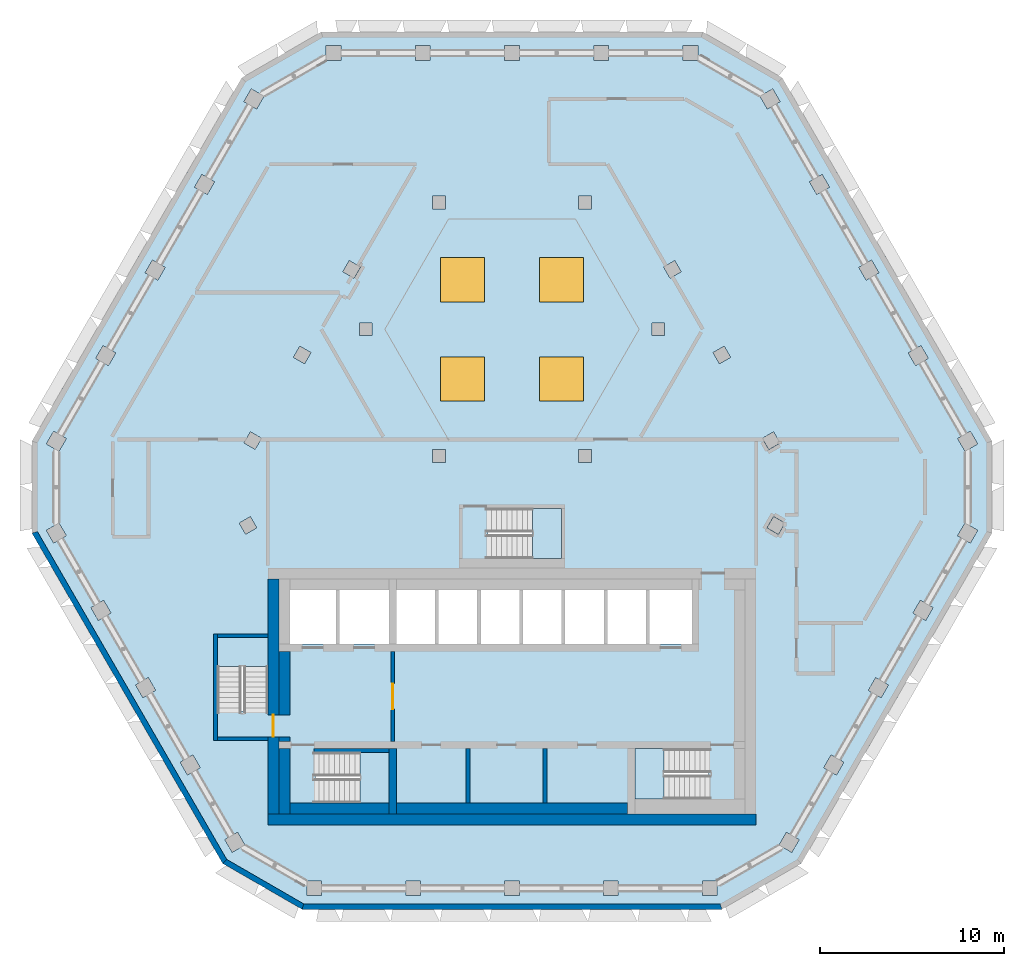
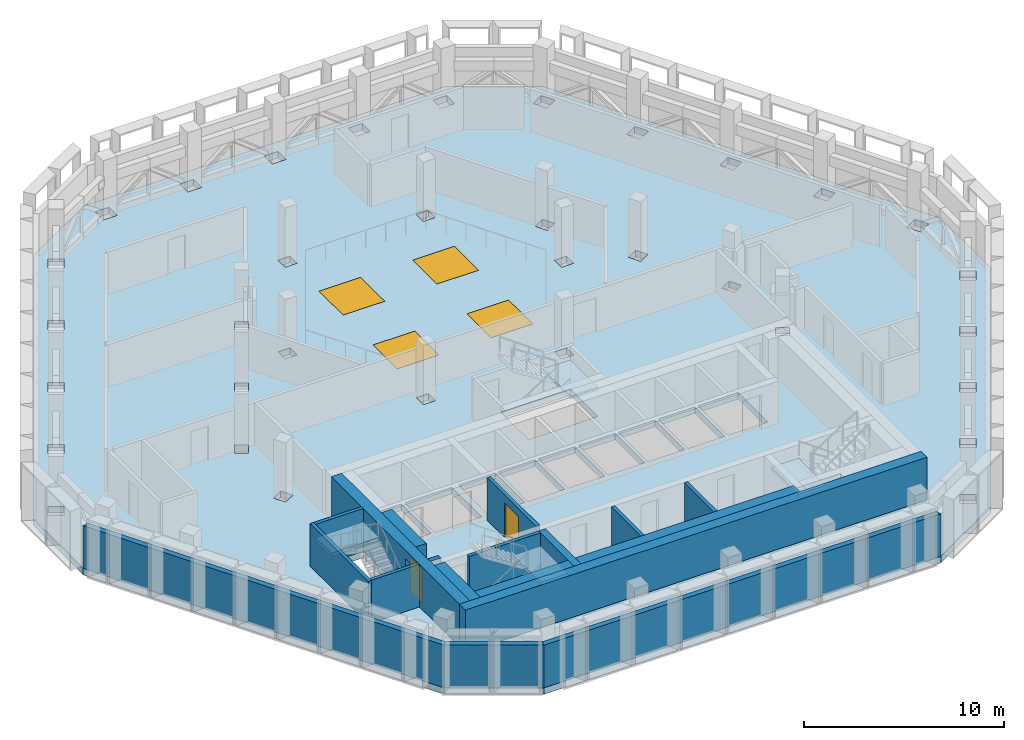
# One storey, part 10 of 24: 18 walls, 5 slabs, 4 windows, 2 doors, 6 openings, 4 elements without a shape of their own.
"""IFC4 building model written with IfcOpenShell, lengths in metres."""

from ifc_helpers import new_model, si_unit, direction, frame, frame_2d, origin, origin_2d, place, context, subcontext, project, spatial, polyline, rectangle, outline, extrude, material, layer, layer_set, type_object, element, fill, aggregate, save


model = new_model("IFC4")

# Units and contexts
model_context = context("Model", 3, precision=1e-05, world=origin(), true_north=direction((0.0, 1.0)))
body_context = subcontext(model_context, "Body", "Model", "MODEL_VIEW")
ifc_project = project(units=[si_unit("LENGTHUNIT", "METRE"), si_unit("AREAUNIT", "SQUARE_METRE"), si_unit("VOLUMEUNIT", "CUBIC_METRE"), si_unit("PLANEANGLEUNIT", "RADIAN"), si_unit("MASSUNIT", "GRAM", prefix="KILO")], contexts=[model_context])

# Site, building, storey
site_placement = place(None, origin())
site = spatial("IfcSite", under=ifc_project, at=site_placement, CompositionType="ELEMENT")
building_placement = place(site_placement, origin())
building = spatial("IfcBuilding", under=site, at=building_placement, Name="Beryl Residences", CompositionType="ELEMENT")
storey_placement = place(building_placement, frame((0.0, 0.0, 199.199951171875)))
storey = spatial("IfcBuildingStorey", under=building, at=storey_placement, Name="L61", CompositionType="ELEMENT", Elevation=199.199951171875)

# Slab, openings, windows
ifc_material_1 = material(Name="Concrete C40/50", Category="concrete")
ifc_layer_1 = layer(ifc_material_1, 0.39990234375)
ifc_layer_set_1 = layer_set([ifc_layer_1], Name="SL8 PT floor slab 400 mm C40/50")
slab_type_1 = type_object("IfcSlabType", Name="SL8 PT floor slab 400 mm C40/50", PredefinedType="FLOOR", material=ifc_layer_set_1)
slab_1_placement = place(storey_placement, frame((0.0, 0.0, -0.39990234375)))
slab_1 = element("IfcSlab", 1, at=slab_1_placement, inside=storey, type_object=slab_type_1, Name="L61 slab 1", PredefinedType="FLOOR", context=body_context, shape_type="SweptSolid", body=[
    extrude(outline(polyline([(26.154052734375, 1.89990234375), (26.154052734375, -3.10009765625), (15.760986328125, -21.10009765625), (11.430908203125, -23.60009765625), (-11.430908203125, -23.60009765625), (-15.760986328125, -21.10009765625), (-26.154052734375, -3.10009765625), (-26.154052734375, 1.89990234375), (-14.721923828125, 21.699951171875), (-10.39208984375, 24.199951171875), (10.39208984375, 24.199951171875), (14.721923828125, 21.699951171875), (26.154052734375, 1.89990234375)]), holes=[polyline([(25.3720703125, 1.75390625), (24.971923828125, 2.446044921875), (24.280029296875, 2.0458984375), (24.679931640625, 1.35400390625), (25.3720703125, 1.75390625)]), polyline([(25.37109375, -2.955078125), (24.678955078125, -2.554931640625), (24.279052734375, -3.2470703125), (24.970947265625, -3.64697265625), (25.37109375, -2.955078125)]), polyline([(22.93896484375, -7.16796875), (22.2470703125, -6.76806640625), (21.846923828125, -7.4599609375), (22.5390625, -7.860107421875), (22.93896484375, -7.16796875)]), polyline([(22.679931640625, 6.416015625), (22.280029296875, 7.10791015625), (21.587890625, 6.7080078125), (21.988037109375, 6.01611328125), (22.679931640625, 6.416015625)]), polyline([(19.81494140625, -10.97998046875), (19.4150390625, -11.672119140625), (20.10693359375, -12.072021484375), (20.507080078125, -11.3798828125), (19.81494140625, -10.97998046875)]), polyline([(19.587890625, 11.77099609375), (18.89599609375, 11.37109375), (19.2958984375, 10.678955078125), (19.988037109375, 11.0791015625), (19.587890625, 11.77099609375)]), polyline([(17.675048828125, -16.283935546875), (18.074951171875, -15.592041015625), (17.383056640625, -15.19189453125), (16.98291015625, -15.884033203125), (17.675048828125, -16.283935546875)]), polyline([(17.2958984375, 15.741943359375), (16.89599609375, 16.43408203125), (16.2041015625, 16.033935546875), (16.60400390625, 15.342041015625), (17.2958984375, 15.741943359375)]), polyline([(15.242919921875, -20.4970703125), (15.64306640625, -19.804931640625), (14.950927734375, -19.405029296875), (14.551025390625, -20.096923828125), (15.242919921875, -20.4970703125)]), polyline([(14.510009765625, -3.1669921875), (14.860107421875, -2.56103515625), (14.25390625, -2.2109375), (13.904052734375, -2.81689453125), (14.510009765625, -3.1669921875)]), polyline([(14.60400390625, 20.404052734375), (14.2041015625, 21.095947265625), (13.511962890625, 20.696044921875), (13.912109375, 20.00390625), (14.60400390625, 20.404052734375)]), polyline([(14.2509765625, 2.4150390625), (13.64501953125, 2.06494140625), (13.9951171875, 1.458984375), (14.60107421875, 1.80908203125), (14.2509765625, 2.4150390625)]), polyline([(11.908935546875, 6.471923828125), (11.55908203125, 7.077880859375), (10.952880859375, 6.72802734375), (11.302978515625, 6.1220703125), (11.908935546875, 6.471923828125)]), polyline([(11.1689453125, -22.85009765625), (11.1689453125, -22.050048828125), (10.368896484375, -22.050048828125), (10.368896484375, -22.85009765625), (11.1689453125, -22.85009765625)]), polyline([(10.699951171875, -14.85009765625), (6.699951171875, -14.85009765625), (6.699951171875, -17.60009765625), (10.699951171875, -17.60009765625), (10.699951171875, -14.85009765625)]), polyline([(10.1279296875, 23.449951171875), (9.327880859375, 23.449951171875), (9.327880859375, 22.64990234375), (10.1279296875, 22.64990234375), (10.1279296875, 23.449951171875)]), polyline([(7.5, -6.199951171875), (7.5, -9.14990234375), (9.800048828125, -9.14990234375), (9.800048828125, -6.199951171875), (7.5, -6.199951171875)]), polyline([(8.866943359375, 11.740966796875), (8.260986328125, 11.39111328125), (8.611083984375, 10.784912109375), (9.217041015625, 11.135009765625), (8.866943359375, 11.740966796875)]), polyline([(7.616943359375, 7.64990234375), (8.31689453125, 7.64990234375), (8.31689453125, 8.35009765625), (7.616943359375, 8.35009765625), (7.616943359375, 7.64990234375)]), polyline([(5.199951171875, -6.199951171875), (5.199951171875, -9.14990234375), (7.300048828125, -9.14990234375), (7.300048828125, -6.199951171875), (5.199951171875, -6.199951171875)]), polyline([(4.985107421875, -22.85009765625), (5.784912109375, -22.85009765625), (5.784912109375, -22.050048828125), (4.985107421875, -22.050048828125), (4.985107421875, -22.85009765625)]), polyline([(5.263916015625, 23.449951171875), (4.464111328125, 23.449951171875), (4.464111328125, 22.64990234375), (5.263916015625, 22.64990234375), (5.263916015625, 23.449951171875)]), polyline([(2.89990234375, -9.14990234375), (5.0, -9.14990234375), (5.0, -6.199951171875), (2.89990234375, -6.199951171875), (2.89990234375, -9.14990234375)]), polyline([(4.333984375, 0.75), (4.333984375, 1.449951171875), (3.634033203125, 1.449951171875), (3.634033203125, 0.75), (4.333984375, 0.75)]), polyline([(3.634033203125, 14.550048828125), (4.333984375, 14.550048828125), (4.333984375, 15.25), (3.634033203125, 15.25), (3.634033203125, 14.550048828125)]), polyline([(-1.300048828125, -4.5), (2.699951171875, -4.5), (2.699951171875, -1.75), (-1.300048828125, -1.75), (-1.300048828125, -4.5)]), polyline([(0.60009765625, -6.199951171875), (0.60009765625, -9.14990234375), (2.699951171875, -9.14990234375), (2.699951171875, -6.199951171875), (0.60009765625, -6.199951171875)]), polyline([(0.40087890625, -22.050048828125), (-0.39892578125, -22.050048828125), (-0.39892578125, -22.85009765625), (0.40087890625, -22.85009765625), (0.40087890625, -22.050048828125)]), polyline([(0.39990234375, -9.14990234375), (0.39990234375, -6.199951171875), (-1.699951171875, -6.199951171875), (-1.699951171875, -9.14990234375), (0.39990234375, -9.14990234375)]), polyline([(-0.39990234375, 22.64990234375), (0.39990234375, 22.64990234375), (0.39990234375, 23.449951171875), (-0.39990234375, 23.449951171875), (-0.39990234375, 22.64990234375)]), polyline([(-4.0, -6.199951171875), (-4.0, -9.14990234375), (-1.89990234375, -9.14990234375), (-1.89990234375, -6.199951171875), (-4.0, -6.199951171875)]), polyline([(-3.634033203125, 14.550048828125), (-3.634033203125, 15.25), (-4.333984375, 15.25), (-4.333984375, 14.550048828125), (-3.634033203125, 14.550048828125)]), polyline([(-4.333984375, 0.75), (-3.634033203125, 0.75), (-3.634033203125, 1.449951171875), (-4.333984375, 1.449951171875), (-4.333984375, 0.75)]), polyline([(-6.300048828125, -6.199951171875), (-6.300048828125, -9.14990234375), (-4.199951171875, -9.14990234375), (-4.199951171875, -6.199951171875), (-6.300048828125, -6.199951171875)]), polyline([(-4.464111328125, 23.449951171875), (-5.263916015625, 23.449951171875), (-5.263916015625, 22.64990234375), (-4.464111328125, 22.64990234375), (-4.464111328125, 23.449951171875)]), polyline([(-5.782958984375, -22.85009765625), (-4.98291015625, -22.85009765625), (-4.98291015625, -22.050048828125), (-5.782958984375, -22.050048828125), (-5.782958984375, -22.85009765625)]), polyline([(-6.699951171875, -9.14990234375), (-6.699951171875, -6.199951171875), (-9.39990234375, -6.199951171875), (-9.39990234375, -9.14990234375), (-6.699951171875, -9.14990234375)]), polyline([(-6.699951171875, -15.050048828125), (-10.699951171875, -15.050048828125), (-10.699951171875, -17.800048828125), (-6.699951171875, -17.800048828125), (-6.699951171875, -15.050048828125)]), polyline([(-8.31689453125, 7.64990234375), (-7.616943359375, 7.64990234375), (-7.616943359375, 8.35009765625), (-8.31689453125, 8.35009765625), (-8.31689453125, 7.64990234375)]), polyline([(-9.217041015625, 11.135009765625), (-8.611083984375, 10.784912109375), (-8.260986328125, 11.39111328125), (-8.866943359375, 11.740966796875), (-9.217041015625, 11.135009765625)]), polyline([(-9.327880859375, 23.449951171875), (-10.1279296875, 23.449951171875), (-10.1279296875, 22.64990234375), (-9.327880859375, 22.64990234375), (-9.327880859375, 23.449951171875)]), polyline([(-12.10009765625, -6.199951171875), (-12.10009765625, -9.14990234375), (-9.60009765625, -9.14990234375), (-9.60009765625, -6.199951171875), (-12.10009765625, -6.199951171875)]), polyline([(-10.366943359375, -22.050048828125), (-11.1669921875, -22.050048828125), (-11.1669921875, -22.85009765625), (-10.366943359375, -22.85009765625), (-10.366943359375, -22.050048828125)]), polyline([(-11.55908203125, 7.077880859375), (-11.908935546875, 6.471923828125), (-11.302978515625, 6.1220703125), (-10.952880859375, 6.72802734375), (-11.55908203125, 7.077880859375)]), polyline([(-13.300048828125, -12.800048828125), (-13.300048828125, -8.800048828125), (-16.050048828125, -8.800048828125), (-16.050048828125, -12.800048828125), (-13.300048828125, -12.800048828125)]), polyline([(-14.60400390625, 20.404052734375), (-13.912109375, 20.00390625), (-13.511962890625, 20.696044921875), (-14.2041015625, 21.095947265625), (-14.60400390625, 20.404052734375)]), polyline([(-14.60107421875, 1.80908203125), (-13.9951171875, 1.458984375), (-13.64501953125, 2.06494140625), (-14.2509765625, 2.4150390625), (-14.60107421875, 1.80908203125)]), polyline([(-14.861083984375, -2.55908203125), (-14.510986328125, -3.1650390625), (-13.905029296875, -2.81494140625), (-14.2548828125, -2.208984375), (-14.861083984375, -2.55908203125)]), polyline([(-15.243896484375, -20.4951171875), (-14.552001953125, -20.094970703125), (-14.951904296875, -19.403076171875), (-15.64404296875, -19.802978515625), (-15.243896484375, -20.4951171875)]), polyline([(-17.2958984375, 15.741943359375), (-16.60400390625, 15.342041015625), (-16.2041015625, 16.033935546875), (-16.89599609375, 16.43408203125), (-17.2958984375, 15.741943359375)]), polyline([(-17.676025390625, -16.281982421875), (-16.98388671875, -15.882080078125), (-17.384033203125, -15.18994140625), (-18.075927734375, -15.590087890625), (-17.676025390625, -16.281982421875)]), polyline([(-19.2958984375, 10.678955078125), (-18.89599609375, 11.37109375), (-19.587890625, 11.77099609375), (-19.988037109375, 11.0791015625), (-19.2958984375, 10.678955078125)]), polyline([(-20.508056640625, -11.3779296875), (-20.10791015625, -12.070068359375), (-19.416015625, -11.669921875), (-19.81591796875, -10.97802734375), (-20.508056640625, -11.3779296875)]), polyline([(-22.280029296875, 7.10791015625), (-22.679931640625, 6.416015625), (-21.988037109375, 6.01611328125), (-21.587890625, 6.7080078125), (-22.280029296875, 7.10791015625)]), polyline([(-22.5400390625, -7.85791015625), (-21.847900390625, -7.4580078125), (-22.248046875, -6.76611328125), (-22.93994140625, -7.166015625), (-22.5400390625, -7.85791015625)]), polyline([(-24.971923828125, -3.64501953125), (-24.280029296875, -3.2451171875), (-24.679931640625, -2.552978515625), (-25.3720703125, -2.952880859375), (-24.971923828125, -3.64501953125)]), polyline([(-24.971923828125, 2.446044921875), (-25.3720703125, 1.75390625), (-24.679931640625, 1.35400390625), (-24.280029296875, 2.0458984375), (-24.971923828125, 2.446044921875)])]), origin(), (0.0, 0.0, 1.0), 0.39990234375),
])
opening_1_placement = place(slab_1_placement, frame((-2.699951171875, 5.300048828125, 0.0)))
opening_1 = element("IfcOpeningElement", 2, at=opening_1_placement, cuts=slab_1, Name="Opening SK1", PredefinedType="OPENING", context=body_context, shape_type="SweptSolid", body=[
    extrude(rectangle(XDim=2.39990234375, YDim=2.39990234375, at=origin_2d()), origin(), (0.0, 0.0, 1.0), 0.39990234375),
])
opening_2_placement = place(slab_1_placement, frame((-2.699951171875, 10.699951171875, 0.0)))
opening_2 = element("IfcOpeningElement", 3, at=opening_2_placement, cuts=slab_1, Name="Opening SK1", PredefinedType="OPENING", context=body_context, shape_type="SweptSolid", body=[
    extrude(rectangle(XDim=2.39990234375, YDim=2.39990234375, at=origin_2d()), origin(), (0.0, 0.0, 1.0), 0.39990234375),
])
opening_3_placement = place(slab_1_placement, frame((2.699951171875, 5.300048828125, 0.0)))
opening_3 = element("IfcOpeningElement", 4, at=opening_3_placement, cuts=slab_1, Name="Opening SK1", PredefinedType="OPENING", context=body_context, shape_type="SweptSolid", body=[
    extrude(rectangle(XDim=2.39990234375, YDim=2.39990234375, at=origin_2d()), origin(), (0.0, 0.0, 1.0), 0.39990234375),
])
opening_4_placement = place(slab_1_placement, frame((2.699951171875, 10.699951171875, 0.0)))
opening_4 = element("IfcOpeningElement", 5, at=opening_4_placement, cuts=slab_1, Name="Opening SK1", PredefinedType="OPENING", context=body_context, shape_type="SweptSolid", body=[
    extrude(rectangle(XDim=2.39990234375, YDim=2.39990234375, at=origin_2d()), origin(), (0.0, 0.0, 1.0), 0.39990234375),
])
ifc_material_2 = material(Name="Fire-resisting laminated glass in aluminium frame", Category="aluminium")
window_type = type_object("IfcWindowType", Name="SK1 atrium rooflight 2400 x 2400 mm", PartitioningType="SINGLE_PANEL", PredefinedType="SKYLIGHT", material=ifc_material_2)
window_1_placement = place(opening_1_placement, frame((0.0, 0.0, 0.349853515625)))
window_1 = element("IfcWindow", 6, at=window_1_placement, inside=storey, type_object=window_type, Name="SK1 atrium rooflight L61 1", OverallHeight=2.39990234375, OverallWidth=2.39990234375, PartitioningType="SINGLE_PANEL", PredefinedType="SKYLIGHT", context=body_context, shape_type="SweptSolid", body=[
    extrude(rectangle(XDim=2.39990234375, YDim=2.39990234375, at=origin_2d()), origin(), (0.0, 0.0, 1.0), 0.050048828125),
])
fill(opening_1, window_1)
window_2_placement = place(opening_2_placement, frame((0.0, 0.0, 0.349853515625)))
window_2 = element("IfcWindow", 7, at=window_2_placement, inside=storey, type_object=window_type, Name="SK1 atrium rooflight L61 2", OverallHeight=2.39990234375, OverallWidth=2.39990234375, PartitioningType="SINGLE_PANEL", PredefinedType="SKYLIGHT", context=body_context, shape_type="SweptSolid", body=[
    extrude(rectangle(XDim=2.39990234375, YDim=2.39990234375, at=origin_2d()), origin(), (0.0, 0.0, 1.0), 0.050048828125),
])
fill(opening_2, window_2)
window_3_placement = place(opening_3_placement, frame((0.0, 0.0, 0.349853515625)))
window_3 = element("IfcWindow", 8, at=window_3_placement, inside=storey, type_object=window_type, Name="SK1 atrium rooflight L61 3", OverallHeight=2.39990234375, OverallWidth=2.39990234375, PartitioningType="SINGLE_PANEL", PredefinedType="SKYLIGHT", context=body_context, shape_type="SweptSolid", body=[
    extrude(rectangle(XDim=2.39990234375, YDim=2.39990234375, at=origin_2d()), origin(), (0.0, 0.0, 1.0), 0.050048828125),
])
fill(opening_3, window_3)
window_4_placement = place(opening_4_placement, frame((0.0, 0.0, 0.349853515625)))
window_4 = element("IfcWindow", 9, at=window_4_placement, inside=storey, type_object=window_type, Name="SK1 atrium rooflight L61 4", OverallHeight=2.39990234375, OverallWidth=2.39990234375, PartitioningType="SINGLE_PANEL", PredefinedType="SKYLIGHT", context=body_context, shape_type="SweptSolid", body=[
    extrude(rectangle(XDim=2.39990234375, YDim=2.39990234375, at=origin_2d()), origin(), (0.0, 0.0, 1.0), 0.050048828125),
])
fill(opening_4, window_4)

# Stair, slab
ifc_material_3 = material(Name="Concrete C40/50", Category="concrete")
stair_type = type_object("IfcStairType", Name="ST1 protected exit stair, half-turn, 1300 mm flights", PredefinedType="HALF_TURN_STAIR", material=ifc_material_3)
stair_1_placement = place(storey_placement, origin())
stair_1 = element("IfcStair", 10, at=stair_1_placement, inside=storey, type_object=stair_type, Name="L61 PROTECTED EXIT STAIR ST-1", PredefinedType="HALF_TURN_STAIR")
ifc_material_4 = material(Name="Concrete C40/50", Category="concrete")
ifc_layer_2 = layer(ifc_material_4, 0.199951171875)
ifc_layer_set_2 = layer_set([ifc_layer_2], Name="SLD1 stair landing 200 mm")
slab_type_2 = type_object("IfcSlabType", Name="SLD1 stair landing 200 mm", PredefinedType="LANDING", material=ifc_layer_set_2)
slab_2_placement = place(storey_placement, frame((0.0, 0.0, 1.60009765625)))
slab_2 = element("IfcSlab", 11, at=slab_2_placement, type_object=slab_type_2, Name="ST-1 landing 1", PredefinedType="LANDING", context=body_context, shape_type="SweptSolid", body=[
    extrude(outline(polyline([(-8.280029296875, -17.800048828125), (-6.699951171875, -17.800048828125), (-6.699951171875, -15.050048828125), (-8.280029296875, -15.050048828125), (-8.280029296875, -17.800048828125)])), origin(), (0.0, 0.0, 1.0), 0.199951171875),
])
aggregate(stair_1, [slab_2])

stair_2_placement = place(storey_placement, origin())
stair_2 = element("IfcStair", 12, at=stair_2_placement, inside=storey, type_object=stair_type, Name="L61 PROTECTED EXIT STAIR ST-2", PredefinedType="HALF_TURN_STAIR")
slab_3_placement = place(storey_placement, frame((0.0, 0.0, 1.60009765625)))
slab_3 = element("IfcSlab", 13, at=slab_3_placement, type_object=slab_type_2, Name="ST-2 landing 1", PredefinedType="LANDING", context=body_context, shape_type="SweptSolid", body=[
    extrude(outline(polyline([(-13.300048828125, -10.3798828125), (-13.300048828125, -8.800048828125), (-16.050048828125, -8.800048828125), (-16.050048828125, -10.3798828125), (-13.300048828125, -10.3798828125)])), origin(), (0.0, 0.0, 1.0), 0.199951171875),
])
aggregate(stair_2, [slab_3])

stair_3_placement = place(storey_placement, origin())
stair_3 = element("IfcStair", 14, at=stair_3_placement, inside=storey, type_object=stair_type, Name="L61 PROTECTED EXIT STAIR ST-3", PredefinedType="HALF_TURN_STAIR")
slab_4_placement = place(storey_placement, frame((0.0, 0.0, 1.60009765625)))
slab_4 = element("IfcSlab", 15, at=slab_4_placement, type_object=slab_type_2, Name="ST-3 landing 1", PredefinedType="LANDING", context=body_context, shape_type="SweptSolid", body=[
    extrude(outline(polyline([(8.280029296875, -14.85009765625), (6.699951171875, -14.85009765625), (6.699951171875, -17.60009765625), (8.280029296875, -17.60009765625), (8.280029296875, -14.85009765625)])), origin(), (0.0, 0.0, 1.0), 0.199951171875),
])
aggregate(stair_3, [slab_4])

stair_4_placement = place(storey_placement, origin())
stair_4 = element("IfcStair", 16, at=stair_4_placement, inside=storey, type_object=stair_type, Name="L61 PROTECTED EXIT STAIR ST-4", PredefinedType="HALF_TURN_STAIR")
slab_5_placement = place(storey_placement, frame((0.0, 0.0, 1.60009765625)))
slab_5 = element("IfcSlab", 17, at=slab_5_placement, type_object=slab_type_2, Name="ST-4 landing 1", PredefinedType="LANDING", context=body_context, shape_type="SweptSolid", body=[
    extrude(outline(polyline([(1.1201171875, -4.5), (2.699951171875, -4.5), (2.699951171875, -1.75), (1.1201171875, -1.75), (1.1201171875, -4.5)])), origin(), (0.0, 0.0, 1.0), 0.199951171875),
])
aggregate(stair_4, [slab_5])

# Walls
ifc_material_5 = material(Name="Composite metal panel with mineral wool insulation")
ifc_layer_3 = layer(ifc_material_5, 0.300048828125)
ifc_layer_set_3 = layer_set([ifc_layer_3], Name="ES1 pale metal composite panel wall 300 mm")
wall_type_1 = type_object("IfcWallType", Name="ES1 pale metal composite panel wall 300 mm", PredefinedType="SOLIDWALL", material=ifc_layer_set_3)
wall_1_placement = place(storey_placement, frame((-26.02392578125, -3.02490234375, 0.0), z_axis=(0.0, 0.0, 1.0), x_axis=(0.500018670445, -0.86601462413, 0.0)))
element("IfcWall", 18, at=wall_1_placement, inside=storey, type_object=wall_type_1, Name="ES1 external wall L61 SW", PredefinedType="SOLIDWALL", context=body_context, shape_type="SweptSolid", body=[
    extrude(outline(polyline([(0.0, -0.14990234375), (20.784912109375, -0.14990234375), (20.70458984375, 0.14990234375), (0.080322265625, 0.14990234375), (0.0, -0.14990234375)])), origin(), (0.0, 0.0, 1.0), 2.60009765625),
])
wall_2_placement = place(storey_placement, frame((-15.68603515625, -20.969970703125, 0.0), z_axis=(0.0, 0.0, 1.0), x_axis=(0.866022959057, -0.500004234368, 0.0)))
element("IfcWall", 19, at=wall_2_placement, inside=storey, type_object=wall_type_1, Name="ES1 external wall L61 SW-S", PredefinedType="SOLIDWALL", context=body_context, shape_type="SweptSolid", body=[
    extrude(outline(polyline([(0.0, -0.14990234375), (5.0, -0.14990234375), (4.919677734375, 0.14990234375), (0.080322265625, 0.14990234375), (0.0, -0.14990234375)])), origin(), (0.0, 0.0, 1.0), 2.60009765625),
])
wall_3_placement = place(storey_placement, frame((-11.430908203125, -23.449951171875, 0.0), z_axis=(0.0, 0.0, 1.0), x_axis=(1.0, 0.0, 0.0)))
element("IfcWall", 20, at=wall_3_placement, inside=storey, type_object=wall_type_1, Name="ES1 external wall L61 S", PredefinedType="SOLIDWALL", context=body_context, shape_type="SweptSolid", body=[
    extrude(outline(polyline([(0.0, -0.14990234375), (22.86181640625, -0.14990234375), (22.781494140625, 0.14990234375), (0.080322265625, 0.14990234375), (0.0, -0.14990234375)])), origin(), (0.0, 0.0, 1.0), 2.60009765625),
])

# Wall, opening, door
ifc_material_6 = material(Name="Concrete masonry", Category="masonry")
ifc_layer_4 = layer(ifc_material_6, 0.199951171875)
ifc_layer_set_4 = layer_set([ifc_layer_4], Name="PT13 lobby wall 200 mm")
wall_type_2 = type_object("IfcWallType", Name="PT13 lobby wall 200 mm", PredefinedType="PARTITIONING", material=ifc_layer_set_4)
wall_4_placement = place(storey_placement, frame((-6.5, -14.449951171875, 0.0), z_axis=(0.0, 0.0, 1.0), x_axis=(0.0, 1.0, 0.0)))
wall_4 = element("IfcWall", 21, at=wall_4_placement, inside=storey, type_object=wall_type_2, Name="Lobby wall 12", PredefinedType="PARTITIONING", context=body_context, shape_type="SweptSolid", body=[
    extrude(rectangle(XDim=4.89990234375, YDim=0.199951171875, at=frame_2d((2.449951171875, 0.0))), origin(), (0.0, 0.0, 1.0), 2.60009765625),
])
opening_5_placement = place(wall_4_placement, frame((3.14990234375, 0.0, 0.0), z_axis=(0.0, 0.0, 1.0), x_axis=(-1.0, 0.0, 0.0)))
opening_5 = element("IfcOpeningElement", 22, at=opening_5_placement, cuts=wall_4, Name="Opening FD-FFL", PredefinedType="OPENING", context=body_context, shape_type="SweptSolid", body=[
    extrude(rectangle(XDim=1.39990234375, YDim=2.10009765625, at=frame_2d((0.699951171875, 1.050048828125))), frame((0.0, 0.10986328125, 0.0), z_axis=(0.0, -1.0, 0.0), x_axis=(1.0, 0.0, 0.0)), (0.0, 0.0, 1.0), 0.219970703125),
])
ifc_material_7 = material(Name="Steel door leaf in steel frame", Category="steel")
door_type_1 = type_object("IfcDoorType", Name="D5 lobby door 1400 x 2100 mm", OperationType="DOUBLE_DOOR_SINGLE_SWING", PredefinedType="DOOR", material=ifc_material_7)
door_1_placement = place(opening_5_placement, origin())
door_1 = element("IfcDoor", 23, at=door_1_placement, inside=storey, type_object=door_type_1, Name="Door FD-FFL L61 001", OperationType="DOUBLE_DOOR_SINGLE_SWING", OverallHeight=2.10009765625, OverallWidth=1.39990234375, PredefinedType="DOOR", context=body_context, shape_type="SweptSolid", body=[
    extrude(rectangle(XDim=1.39990234375, YDim=2.10009765625, at=frame_2d((0.699951171875, 1.050048828125))), frame((0.0, 0.02490234375, 0.0), z_axis=(0.0, -1.0, 0.0), x_axis=(1.0, 0.0, 0.0)), (0.0, 0.0, 1.0), 0.050048828125),
])
fill(opening_5, door_1)

# Walls
ifc_material_8 = material(Name="Concrete masonry", Category="masonry")
ifc_layer_5 = layer(ifc_material_8, 0.25)
ifc_layer_set_5 = layer_set([ifc_layer_5], Name="PT13-250 lobby wall 250 mm")
wall_type_3 = type_object("IfcWallType", Name="PT13-250 lobby wall 250 mm", PredefinedType="PARTITIONING", material=ifc_layer_set_5)
wall_5_placement = place(storey_placement, frame((-12.699951171875, -14.324951171875, 0.0), z_axis=(0.0, 0.0, 1.0), x_axis=(1.0, 0.0, 0.0)))
element("IfcWall", 24, at=wall_5_placement, inside=storey, type_object=wall_type_3, Name="Lobby wall 05", PredefinedType="PARTITIONING", context=body_context, shape_type="SweptSolid", body=[
    extrude(rectangle(XDim=0.599853515625, YDim=0.25, at=frame_2d((0.2998046875, 0.0))), origin(), (0.0, 0.0, 1.0), 2.60009765625),
])
ifc_material_9 = material(Name="Concrete masonry", Category="masonry")
ifc_layer_6 = layer(ifc_material_9, 0.60009765625)
ifc_layer_set_6 = layer_set([ifc_layer_6], Name="PT13-600 lobby wall 600 mm")
wall_type_4 = type_object("IfcWallType", Name="PT13-600 lobby wall 600 mm", PredefinedType="PARTITIONING", material=ifc_layer_set_6)
wall_6_placement = place(storey_placement, frame((-12.39990234375, -13.0, 0.0), z_axis=(0.0, 0.0, 1.0), x_axis=(0.0, 1.0, 0.0)))
element("IfcWall", 25, at=wall_6_placement, inside=storey, type_object=wall_type_4, Name="Lobby wall 06", PredefinedType="PARTITIONING", context=body_context, shape_type="SweptSolid", body=[
    extrude(rectangle(XDim=3.449951171875, YDim=0.60009765625, at=frame_2d((1.72509765625, 0.0))), origin(), (0.0, 0.0, 1.0), 2.60009765625),
])
ifc_material_10 = material(Name="Concrete C40/50", Category="concrete")
ifc_layer_7 = layer(ifc_material_10, 0.199951171875)
ifc_layer_set_7 = layer_set([ifc_layer_7], Name="PT5 stair enclosure wall 200 mm reinforced concrete C40/50")
wall_type_5 = type_object("IfcWallType", Name="PT5 stair enclosure wall 200 mm reinforced concrete C40/50", PredefinedType="SOLIDWALL", material=ifc_layer_set_7)
wall_7_placement = place(storey_placement, frame((-16.14990234375, -14.39990234375, 0.0), z_axis=(0.0, 0.0, 1.0), x_axis=(0.0, 1.0, 0.0)))
element("IfcWall", 26, at=wall_7_placement, inside=storey, type_object=wall_type_5, Name="Stair wall 01", PredefinedType="SOLIDWALL", context=body_context, shape_type="SweptSolid", body=[
    extrude(rectangle(XDim=5.7998046875, YDim=0.199951171875, at=frame_2d((2.89990234375, 0.0))), origin(), (0.0, 0.0, 1.0), 2.60009765625),
])
for number, where, z_axis, x_axis, name in (
    (27, (-16.050048828125, -14.300048828125, 0.0), (0.0, 0.0, 1.0), (1.0, 0.0, 0.0), "Stair wall 02"),
    (28, (-16.050048828125, -8.699951171875, 0.0), (0.0, 0.0, 1.0), (1.0, 0.0, 0.0), "Stair wall 03"),
):
    element("IfcWall", number, at=place(storey_placement, frame(where, z_axis=z_axis, x_axis=x_axis)), inside=storey, type_object=wall_type_5, Name=name, PredefinedType="SOLIDWALL", context=body_context, shape_type="SweptSolid", body=[
        extrude(rectangle(XDim=2.75, YDim=0.199951171875, at=frame_2d((1.375, 0.0))), origin(), (0.0, 0.0, 1.0), 2.60009765625),
    ])
wall_8_placement = place(storey_placement, frame((-10.800048828125, -14.949951171875, 0.0), z_axis=(0.0, 0.0, 1.0), x_axis=(1.0, 0.0, 0.0)))
element("IfcWall", 29, at=wall_8_placement, inside=storey, type_object=wall_type_5, Name="Stair wall 10", PredefinedType="SOLIDWALL", context=body_context, shape_type="SweptSolid", body=[
    extrude(rectangle(XDim=4.10009765625, YDim=0.199951171875, at=frame_2d((2.050048828125, 0.0))), origin(), (0.0, 0.0, 1.0), 2.60009765625),
])
ifc_material_11 = material(Name="Concrete C40/50", Category="concrete")
ifc_layer_8 = layer(ifc_material_11, 0.60009765625)
ifc_layer_set_8 = layer_set([ifc_layer_8], Name="PT5-600 stair enclosure wall 600 mm")
wall_type_6 = type_object("IfcWallType", Name="PT5-600 stair enclosure wall 600 mm", PredefinedType="SOLIDWALL", material=ifc_layer_set_8)
wall_9_placement = place(storey_placement, frame((-12.39990234375, -18.39990234375, 0.0), z_axis=(0.0, 0.0, 1.0), x_axis=(0.0, 1.0, 0.0)))
element("IfcWall", 30, at=wall_9_placement, inside=storey, type_object=wall_type_6, Name="Stair wall 04", PredefinedType="SOLIDWALL", context=body_context, shape_type="SweptSolid", body=[
    extrude(rectangle(XDim=3.5498046875, YDim=0.60009765625, at=frame_2d((1.77490234375, 0.0))), origin(), (0.0, 0.0, 1.0), 2.60009765625),
])
wall_10_placement = place(storey_placement, frame((-12.10009765625, -18.10009765625, 0.0), z_axis=(0.0, 0.0, 1.0), x_axis=(1.0, 0.0, 0.0)))
element("IfcWall", 31, at=wall_10_placement, inside=storey, type_object=wall_type_6, Name="Stair wall 08", PredefinedType="SOLIDWALL", context=body_context, shape_type="SweptSolid", body=[
    extrude(rectangle(XDim=5.400146484375, YDim=0.60009765625, at=frame_2d((2.7001953125, 0.0))), origin(), (0.0, 0.0, 1.0), 2.60009765625),
])
ifc_material_12 = material(Name="Concrete masonry", Category="masonry")
ifc_layer_9 = layer(ifc_material_12, 0.199951171875)
ifc_layer_set_9 = layer_set([ifc_layer_9], Name="PT8-200 service room wall 200 mm")
wall_type_7 = type_object("IfcWallType", Name="PT8-200 service room wall 200 mm", PredefinedType="PARTITIONING", material=ifc_layer_set_9)
for number, where, z_axis, x_axis, name in (
    (32, (-2.39990234375, -17.800048828125, 0.0), (0.0, 0.0, 1.0), (0.0, 1.0, 0.0), "Core room wall 16"),
    (33, (1.800048828125, -17.800048828125, 0.0), (0.0, 0.0, 1.0), (0.0, 1.0, 0.0), "Core room wall 19"),
):
    element("IfcWall", number, at=place(storey_placement, frame(where, z_axis=z_axis, x_axis=x_axis)), inside=storey, type_object=wall_type_7, Name=name, PredefinedType="PARTITIONING", context=body_context, shape_type="SweptSolid", body=[
        extrude(rectangle(XDim=2.949951171875, YDim=0.199951171875, at=frame_2d((1.47509765625, 0.0))), origin(), (0.0, 0.0, 1.0), 2.60009765625),
    ])
ifc_material_13 = material(Name="Concrete masonry", Category="masonry")
ifc_layer_10 = layer(ifc_material_13, 0.60009765625)
ifc_layer_set_10 = layer_set([ifc_layer_10], Name="PT8-600 service room wall 600 mm")
wall_type_8 = type_object("IfcWallType", Name="PT8-600 service room wall 600 mm", PredefinedType="PARTITIONING", material=ifc_layer_set_10)
wall_11_placement = place(storey_placement, frame((-6.300048828125, -18.10009765625, 0.0), z_axis=(0.0, 0.0, 1.0), x_axis=(1.0, 0.0, 0.0)))
element("IfcWall", 34, at=wall_11_placement, inside=storey, type_object=wall_type_8, Name="Core room wall 13", PredefinedType="PARTITIONING", context=body_context, shape_type="SweptSolid", body=[
    extrude(rectangle(XDim=12.60009765625, YDim=0.60009765625, at=frame_2d((6.300048828125, 0.0))), origin(), (0.0, 0.0, 1.0), 2.60009765625),
])
ifc_material_14 = material(Name="Concrete C50/60", Category="concrete")
ifc_layer_11 = layer(ifc_material_14, 0.60009765625)
ifc_layer_set_11 = layer_set([ifc_layer_11], Name="SW4 core outer wall 600 mm C50/60")
wall_type_9 = type_object("IfcWallType", Name="SW4 core outer wall 600 mm C50/60", PredefinedType="SHEAR", material=ifc_layer_set_11)
wall_12_placement = place(storey_placement, frame((-13.300048828125, -18.699951171875, 0.0), z_axis=(0.0, 0.0, 1.0), x_axis=(1.0, 0.0, 0.0)))
element("IfcWall", 35, at=wall_12_placement, inside=storey, type_object=wall_type_9, Name="Core wall S L61", PredefinedType="SHEAR", context=body_context, shape_type="SweptSolid", body=[
    extrude(rectangle(XDim=26.60009765625, YDim=0.60009765625, at=frame_2d((13.300048828125, 0.0))), origin(), (0.0, 0.0, 1.0), 2.60009765625),
])

# Wall, opening, door
wall_13_placement = place(storey_placement, frame((-13.0, -18.39990234375, 0.0), z_axis=(0.0, 0.0, 1.0), x_axis=(0.0, 1.0, 0.0)))
wall_13 = element("IfcWall", 36, at=wall_13_placement, inside=storey, type_object=wall_type_9, Name="Core wall W L61", PredefinedType="SHEAR", context=body_context, shape_type="SweptSolid", body=[
    extrude(rectangle(XDim=12.7998046875, YDim=0.60009765625, at=frame_2d((6.39990234375, 0.0))), origin(), (0.0, 0.0, 1.0), 2.60009765625),
])
opening_6_placement = place(wall_13_placement, frame((4.199951171875, 0.0, 0.0)))
opening_6 = element("IfcOpeningElement", 37, at=opening_6_placement, cuts=wall_13, Name="Opening SD-2", PredefinedType="OPENING", context=body_context, shape_type="SweptSolid", body=[
    extrude(rectangle(XDim=1.199951171875, YDim=2.10009765625, at=frame_2d((0.60009765625, 1.050048828125))), frame((0.0, 0.31005859375, 0.0), z_axis=(0.0, -1.0, 0.0), x_axis=(1.0, 0.0, 0.0)), (0.0, 0.0, 1.0), 0.6201171875),
])
ifc_material_15 = material(Name="Steel door leaf in steel frame", Category="steel")
door_type_2 = type_object("IfcDoorType", Name="D4 stair door 1200 x 2100 mm", OperationType="SINGLE_SWING_LEFT", PredefinedType="DOOR", material=ifc_material_15)
door_2_placement = place(opening_6_placement, origin())
door_2 = element("IfcDoor", 38, at=door_2_placement, inside=storey, type_object=door_type_2, Name="Door SD-2 L61 001", OperationType="SINGLE_SWING_RIGHT", OverallHeight=2.10009765625, OverallWidth=1.199951171875, PredefinedType="DOOR", context=body_context, shape_type="SweptSolid", body=[
    extrude(rectangle(XDim=1.199951171875, YDim=2.10009765625, at=frame_2d((0.60009765625, 1.050048828125))), frame((0.0, 0.02490234375, 0.0), z_axis=(0.0, -1.0, 0.0), x_axis=(1.0, 0.0, 0.0)), (0.0, 0.0, 1.0), 0.050048828125),
])
fill(opening_6, door_2)

# Wall
ifc_material_16 = material(Name="Concrete C50/60", Category="concrete")
ifc_layer_12 = layer(ifc_material_16, 0.39990234375)
ifc_layer_set_12 = layer_set([ifc_layer_12], Name="SW9 core internal wall 400 mm C50/60")
wall_type_10 = type_object("IfcWallType", Name="SW9 core internal wall 400 mm C50/60", PredefinedType="SHEAR", material=ifc_layer_set_12)
wall_14_placement = place(storey_placement, frame((-6.5, -18.39990234375, 0.0), z_axis=(0.0, 0.0, 1.0), x_axis=(0.0, 1.0, 0.0)))
element("IfcWall", 39, at=wall_14_placement, inside=storey, type_object=wall_type_10, Name="Core wall XS1 L61", PredefinedType="SHEAR", context=body_context, shape_type="SweptSolid", body=[
    extrude(rectangle(XDim=3.5498046875, YDim=0.39990234375, at=frame_2d((1.77490234375, 0.0))), origin(), (0.0, 0.0, 1.0), 2.60009765625),
])

save(model, "model.ifc")
